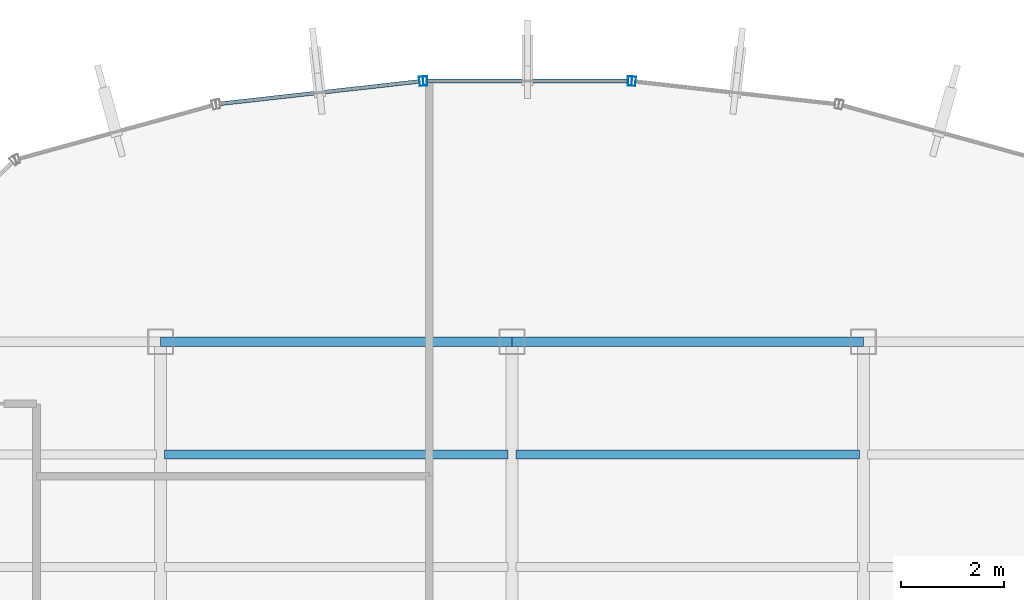
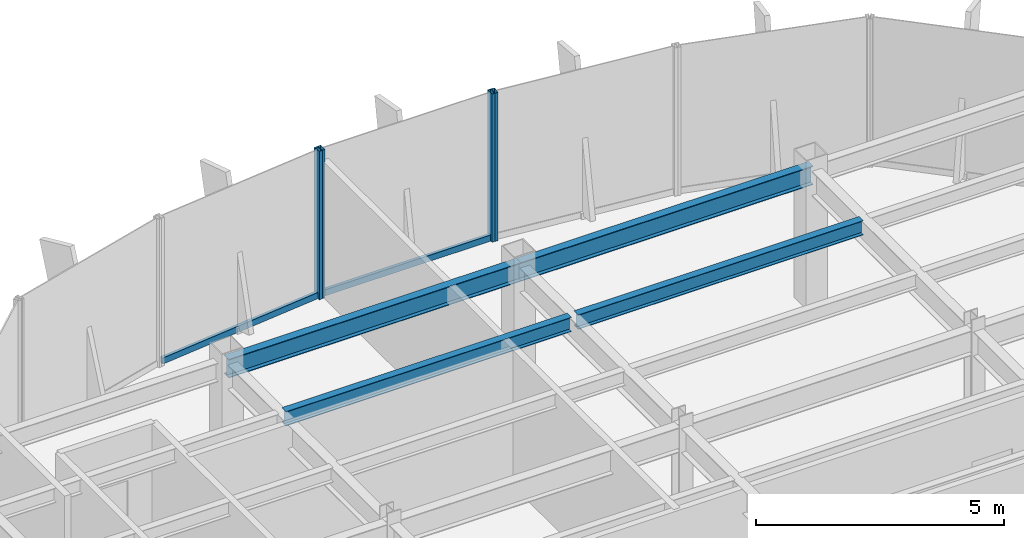
# One storey, part 13 of 22: 6 members, 4 beams, 3 elements without a shape of their own.
"""IFC4 building model written with IfcOpenShell, lengths in metres."""

from ifc_helpers import new_model, si_unit, derived_unit, direction, frame, origin, origin_2d, place, context, subcontext, project, spatial, hollow_rectangle, i_section, extrude, source, transform, mapped, material, material_profile, profile_set, type_object, element, aggregate, save


model = new_model("IFC4")

# Units and contexts
model_context = context("Model", 3, precision=1e-05, world=origin(), true_north=direction((0.0, 1.0)))
body_context = subcontext(model_context, "Body", "Model", "MODEL_VIEW")
ifc_project = project(units=[si_unit("LENGTHUNIT", "METRE"), si_unit("AREAUNIT", "SQUARE_METRE"), si_unit("VOLUMEUNIT", "CUBIC_METRE"), si_unit("PLANEANGLEUNIT", "RADIAN"), si_unit("MASSUNIT", "GRAM", prefix="KILO"), derived_unit("THERMALTRANSMITTANCEUNIT", [(si_unit("POWERUNIT", "WATT"), 1), (si_unit("LENGTHUNIT", "METRE"), -2), (si_unit("THERMODYNAMICTEMPERATUREUNIT", "KELVIN"), -1)])], contexts=[model_context])

# Site, building, storey
site_placement = place(None, origin())
site = spatial("IfcSite", under=ifc_project, at=site_placement, CompositionType="ELEMENT")
building_placement = place(site_placement, origin())
building = spatial("IfcBuilding", under=site, at=building_placement, Name="Skarnbrae Concourse Arena and Tower", CompositionType="ELEMENT")
storey_placement = place(building_placement, frame((0.0, 0.0, 232.39990234375)))
storey = spatial("IfcBuildingStorey", under=building, at=storey_placement, Name="L60", CompositionType="ELEMENT", Elevation=232.39990234375)

# Beams
ifc_material_1 = material(Name="Steel CSA G40.21 350W", Category="steel")
ifc_material_profile_1 = material_profile(ifc_material_1, i_section(OverallWidth=0.19091796875, OverallDepth=0.4599609375, WebThickness=0.010009765625, FlangeThickness=0.01611328125, at=origin_2d()), Name="W460X82")
ifc_profile_set_1 = profile_set([ifc_material_profile_1], Name="Steel CSA G40.21 350W")
beam_type_1 = type_object("IfcBeamType", Name="BM-SPAN-W460X82", PredefinedType="SPANDREL", material=ifc_profile_set_1)
shared_shape_1 = source(origin(), body_context, "Body", "SweptSolid", [
    extrude(i_section(OverallWidth=0.19091796875, OverallDepth=0.4599609375, WebThickness=0.010009765625, FlangeThickness=0.01611328125, at=origin_2d()), origin(), (0.0, 0.0, 1.0), 6.800048828125),
])
for number, where, z_axis, x_axis, name in (
    (1, (14.39990234375, 34.39990234375, 3.1201171875), (1.0, 0.0, 0.0), (0.0, 1.0, 0.0), "L60 Perimeter spandrel Y34.4-2"),
    (2, (21.199951171875, 34.39990234375, 3.1201171875), (1.0, 0.0, 0.0), (0.0, 1.0, 0.0), "L60 Perimeter spandrel Y34.4-3"),
):
    element("IfcBeam", number, at=place(storey_placement, frame(where, z_axis=z_axis, x_axis=x_axis)), inside=storey, type_object=beam_type_1, Name=name, PredefinedType="SPANDREL", context=body_context, shape_type="MappedRepresentation", body=[
        mapped(shared_shape_1, transform((0.0, 0.0, 0.0))),
    ])
ifc_material_profile_2 = material_profile(ifc_material_1, i_section(OverallWidth=0.1708984375, OverallDepth=0.35498046875, WebThickness=0.007080078125, FlangeThickness=0.01171875, at=origin_2d()), Name="W360X51")
ifc_profile_set_2 = profile_set([ifc_material_profile_2], Name="Steel CSA G40.21 350W")
beam_type_2 = type_object("IfcBeamType", Name="BM-JOIST-W360X51", PredefinedType="JOIST", material=ifc_profile_set_2)
shared_shape_2 = source(origin(), body_context, "Body", "SweptSolid", [
    extrude(i_section(OverallWidth=0.1708984375, OverallDepth=0.35498046875, WebThickness=0.007080078125, FlangeThickness=0.01171875, at=origin_2d()), origin(), (0.0, 0.0, 1.0), 6.64013671875),
])
beam_1_placement = place(storey_placement, frame((14.47998046875, 32.221923828125, 3.172607421875), z_axis=(1.0, 0.0, 0.0), x_axis=(0.0, 1.0, 0.0)))
element("IfcBeam", 3, at=beam_1_placement, inside=storey, type_object=beam_type_2, Name="L60 Secondary floor joist 3.2.2", PredefinedType="JOIST", context=body_context, shape_type="MappedRepresentation", body=[
    mapped(shared_shape_2, transform((0.0, 0.0, 0.0))),
])
shared_shape_3 = source(origin(), body_context, "Body", "SweptSolid", [
    extrude(i_section(OverallWidth=0.1708984375, OverallDepth=0.35498046875, WebThickness=0.007080078125, FlangeThickness=0.01171875, at=origin_2d()), origin(), (0.0, 0.0, 1.0), 6.639892578125),
])
beam_2_placement = place(storey_placement, frame((21.280029296875, 32.221923828125, 3.172607421875), z_axis=(1.0, 0.0, 0.0), x_axis=(0.0, 1.0, 0.0)))
element("IfcBeam", 4, at=beam_2_placement, inside=storey, type_object=beam_type_2, Name="L60 Secondary floor joist 3.2.3", PredefinedType="JOIST", context=body_context, shape_type="MappedRepresentation", body=[
    mapped(shared_shape_3, transform((0.0, 0.0, 0.0))),
])

# Curtain wall, member
ifc_material_2 = material(Name="Bronze anodised aluminium 6063-T6", Category="aluminium")
curtain_wall_type = type_object("IfcCurtainWallType", Name="CW-SYS-05-HIGHZONE", PredefinedType="USERDEFINED", material=ifc_material_2)
curtain_wall_1_placement = place(storey_placement, origin())
curtain_wall_1 = element("IfcCurtainWall", 5, at=curtain_wall_1_placement, inside=storey, type_object=curtain_wall_type, Name="L60 Unitised curtain wall CW-L60-E12", ObjectType="UNITISED CURTAIN WALL", PredefinedType="USERDEFINED")
ifc_material_profile_3 = material_profile(ifc_material_2, hollow_rectangle(XDim=0.074951171875, YDim=0.14990234375, WallThickness=0.00390625, at=origin_2d()), Name="ALU-TRAN-75X150")
ifc_profile_set_3 = profile_set([ifc_material_profile_3], Name="Bronze anodised aluminium 6063-T6")
member_type_1 = type_object("IfcMemberType", Name="CWT-CW-05", PredefinedType="USERDEFINED", material=ifc_profile_set_3)
shared_shape_4 = source(origin(), body_context, "Body", "SweptSolid", [
    extrude(hollow_rectangle(XDim=0.074951171875, YDim=0.14990234375, WallThickness=0.00390625, at=origin_2d()), origin(), (0.0, 0.0, 1.0), 3.8837890625),
])
member_1_placement = place(storey_placement, frame((19.408203125, 39.438232421875, 0.0751953125), z_axis=(-0.993776714154, -0.111390495128, 0.0), x_axis=(0.111390495128, -0.993776714154, 0.0)))
member_1 = element("IfcMember", 6, at=member_1_placement, type_object=member_type_1, Name="CW-L60-E12 Transom 1", ObjectType="TRANSOM", PredefinedType="USERDEFINED", context=body_context, shape_type="MappedRepresentation", body=[
    mapped(shared_shape_4, transform((0.0, 0.0, 0.0))),
])

curtain_wall_2_placement = place(storey_placement, origin())
curtain_wall_2 = element("IfcCurtainWall", 7, at=curtain_wall_2_placement, inside=storey, type_object=curtain_wall_type, Name="L60 Unitised curtain wall CW-L60-E11", ObjectType="UNITISED CURTAIN WALL", PredefinedType="USERDEFINED")
shared_shape_5 = source(origin(), body_context, "Body", "SweptSolid", [
    extrude(hollow_rectangle(XDim=0.074951171875, YDim=0.14990234375, WallThickness=0.00390625, at=origin_2d()), origin(), (0.0, 0.0, 1.0), 3.88427734375),
])
member_2_placement = place(storey_placement, frame((23.442138671875, 39.44677734375, 0.0751953125), z_axis=(-1.0, 0.0, 0.0), x_axis=(0.0, -1.0, 0.0)))
member_2 = element("IfcMember", 8, at=member_2_placement, type_object=member_type_1, Name="CW-L60-E11 Transom 1", ObjectType="TRANSOM", PredefinedType="USERDEFINED", context=body_context, shape_type="MappedRepresentation", body=[
    mapped(shared_shape_5, transform((0.0, 0.0, 0.0))),
])

curtain_wall_3_placement = place(storey_placement, origin())
curtain_wall_3 = element("IfcCurtainWall", 9, at=curtain_wall_3_placement, inside=storey, type_object=curtain_wall_type, Name="L60 Unitised curtain wall CW-L60-E10", ObjectType="UNITISED CURTAIN WALL", PredefinedType="USERDEFINED")
ifc_material_profile_4 = material_profile(ifc_material_2, hollow_rectangle(XDim=0.074951171875, YDim=0.179931640625, WallThickness=0.00390625, at=origin_2d()), Name="ALU-MULL-75X180")
ifc_profile_set_4 = profile_set([ifc_material_profile_4], Name="Bronze anodised aluminium 6063-T6")
member_type_2 = type_object("IfcMemberType", Name="CWM-CW-05", PredefinedType="MULLION", material=ifc_profile_set_4)
shared_shape_6 = source(origin(), body_context, "Body", "SweptSolid", [
    extrude(hollow_rectangle(XDim=0.074951171875, YDim=0.179931640625, WallThickness=0.00390625, at=origin_2d()), origin(), (0.0, 0.0, 1.0), 3.650146484375),
])
member_3_placement = place(storey_placement, frame((23.554443359375, 39.4423828125, 0.0), z_axis=(0.0, 0.0, 1.0), x_axis=(-0.993768891873, 0.111460259941, 0.0)))
member_3 = element("IfcMember", 10, at=member_3_placement, type_object=member_type_2, Name="CW-L60-E10 Mullion 2", PredefinedType="MULLION", context=body_context, shape_type="MappedRepresentation", body=[
    mapped(shared_shape_6, transform((0.0, 0.0, 0.0))),
])
aggregate(curtain_wall_3, [member_3])

# Member
member_4_placement = place(storey_placement, frame((23.479736328125, 39.44677734375, 0.0), z_axis=(0.0, 0.0, 1.0), x_axis=(-1.0, 0.0, 0.0)))
member_4 = element("IfcMember", 11, at=member_4_placement, type_object=member_type_2, Name="CW-L60-E11 Mullion 1", PredefinedType="MULLION", context=body_context, shape_type="MappedRepresentation", body=[
    mapped(shared_shape_6, transform((0.0, 0.0, 0.0))),
])

member_5_placement = place(storey_placement, frame((19.520263671875, 39.44677734375, 0.0), z_axis=(0.0, 0.0, 1.0), x_axis=(-1.0, 0.0, 0.0)))
member_5 = element("IfcMember", 12, at=member_5_placement, type_object=member_type_2, Name="CW-L60-E11 Mullion 2", PredefinedType="MULLION", context=body_context, shape_type="MappedRepresentation", body=[
    mapped(shared_shape_6, transform((0.0, 0.0, 0.0))),
])

aggregate(curtain_wall_2, [member_4, member_5, member_2])

member_6_placement = place(storey_placement, frame((19.445556640625, 39.4423828125, 0.0), z_axis=(0.0, 0.0, 1.0), x_axis=(-0.993768891873, -0.111460259941, 0.0)))
member_6 = element("IfcMember", 13, at=member_6_placement, type_object=member_type_2, Name="CW-L60-E12 Mullion 1", PredefinedType="MULLION", context=body_context, shape_type="MappedRepresentation", body=[
    mapped(shared_shape_6, transform((0.0, 0.0, 0.0))),
])

aggregate(curtain_wall_1, [member_6, member_1])

save(model, "model.ifc")
